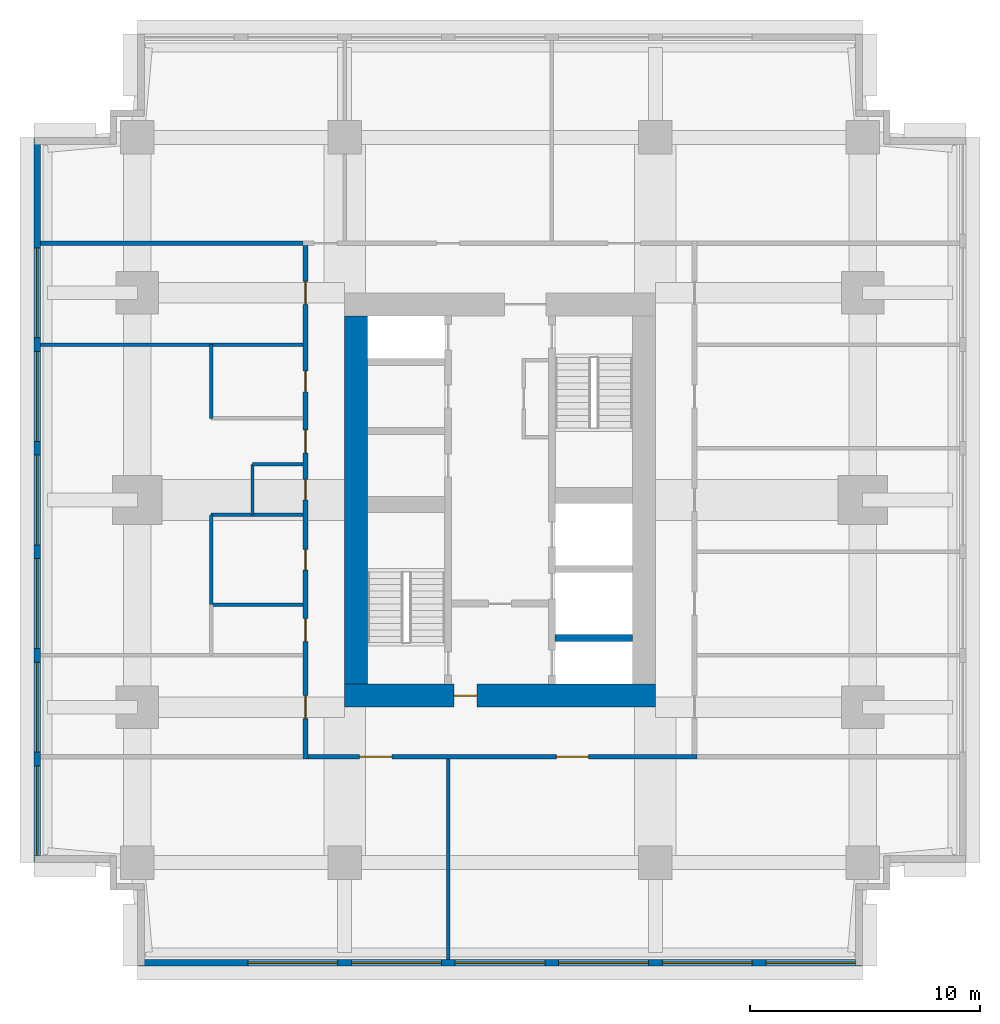
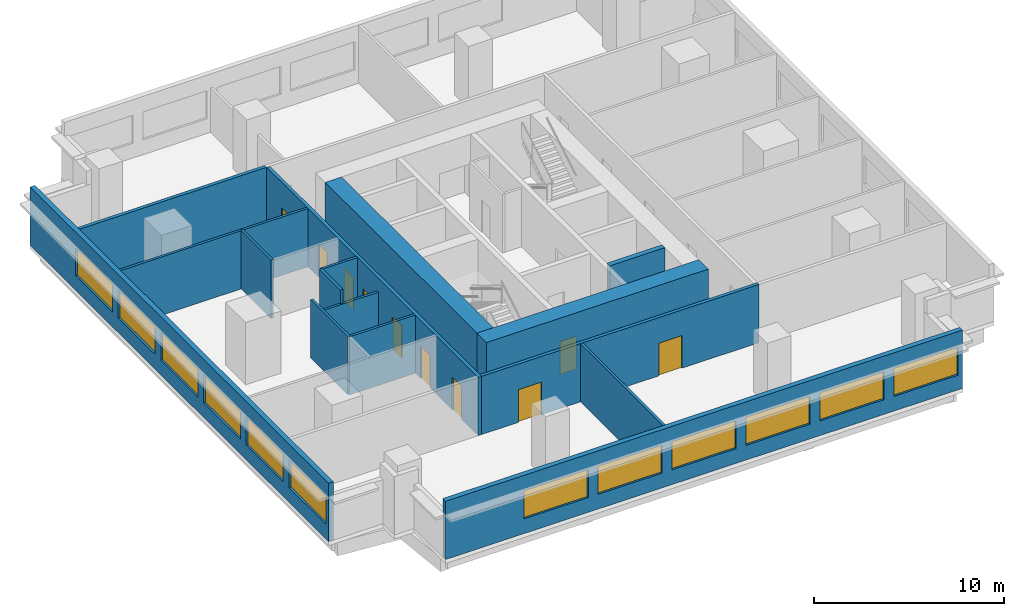
# One storey, part 2 of 5: 16 walls, 12 windows, 10 doors, 22 openings.
"""IFC4 building model written with IfcOpenShell, lengths in metres."""

from ifc_helpers import new_model, si_unit, direction, frame, frame_2d, origin, place, context, subcontext, project, spatial, rectangle, extrude, material, layer, layer_set, type_object, element, fill, save


model = new_model("IFC4")

# Units and contexts
model_context = context("Model", 3, precision=1e-05, world=origin(), true_north=direction((0.0, 1.0)))
body_context = subcontext(model_context, "Body", "Model", "MODEL_VIEW")
ifc_project = project(units=[si_unit("LENGTHUNIT", "METRE"), si_unit("AREAUNIT", "SQUARE_METRE"), si_unit("VOLUMEUNIT", "CUBIC_METRE"), si_unit("PLANEANGLEUNIT", "RADIAN"), si_unit("MASSUNIT", "GRAM", prefix="KILO")], contexts=[model_context])

# Site, building, storey
site_placement = place(None, origin())
site = spatial("IfcSite", under=ifc_project, at=site_placement, CompositionType="ELEMENT")
building_placement = place(site_placement, origin())
building = spatial("IfcBuilding", under=site, at=building_placement, Name="Namib Vertical Campus", CompositionType="ELEMENT")
storey_placement = place(building_placement, frame((0.0, 0.0, 261.0)))
storey = spatial("IfcBuildingStorey", under=building, at=storey_placement, Name="L61", CompositionType="ELEMENT", Elevation=261.0)

# Wall
ifc_material_1 = material(Name="Concrete C60/75", Category="concrete")
ifc_layer_1 = layer(ifc_material_1, 0.300048828125)
ifc_layer_set_1 = layer_set([ifc_layer_1], Name="Concrete C60/75")
wall_type_1 = type_object("IfcWallType", Name="Core inner wall 300", PredefinedType="SHEAR", material=ifc_layer_set_1)
wall_1_placement = place(storey_placement, frame((22.64990234375, 14.25, 0.0), z_axis=(0.0, 0.0, 1.0), x_axis=(1.0, 0.0, 0.0)))
element("IfcWall", 1, at=wall_1_placement, inside=storey, type_object=wall_type_1, Name="Core inner wall A L61 W5", PredefinedType="SHEAR", context=body_context, shape_type="SweptSolid", body=[
    extrude(rectangle(XDim=3.35009765625, YDim=0.300048828125, at=frame_2d((1.675048828125, 0.0))), origin(), (0.0, 0.0, 1.0), 4.0),
])

# Wall, opening, door
ifc_material_2 = material(Name="Concrete C60/75", Category="concrete")
ifc_layer_2 = layer(ifc_material_2, 1.0)
ifc_layer_set_2 = layer_set([ifc_layer_2], Name="Concrete C60/75")
wall_type_2 = type_object("IfcWallType", Name="Core wall 1000", PredefinedType="SHEAR", material=ifc_layer_set_2)
wall_2_placement = place(storey_placement, frame((13.5, 11.75, 0.0), z_axis=(0.0, 0.0, 1.0), x_axis=(1.0, 0.0, 0.0)))
wall_2 = element("IfcWall", 2, at=wall_2_placement, inside=storey, type_object=wall_type_2, Name="Core wall A L61 1", PredefinedType="SHEAR", context=body_context, shape_type="SweptSolid", body=[
    extrude(rectangle(XDim=13.5, YDim=1.0, at=frame_2d((6.75, 0.0))), origin(), (0.0, 0.0, 1.0), 4.0),
])
opening_1_placement = place(wall_2_placement, frame((4.75, 0.0, 0.0)))
opening_1 = element("IfcOpeningElement", 3, at=opening_1_placement, cuts=wall_2, Name="Opening FD5", PredefinedType="OPENING", context=body_context, shape_type="SweptSolid", body=[
    extrude(rectangle(XDim=1.0, YDim=2.10009765625, at=frame_2d((0.5, 1.050048828125))), frame((0.0, 0.510009765625, 0.0), z_axis=(0.0, -1.0, 0.0), x_axis=(1.0, 0.0, 0.0)), (0.0, 0.0, 1.0), 1.02001953125),
])
ifc_material_3 = material(Name="Steel fire door", Category="steel")
door_type_1 = type_object("IfcDoorType", Name="Fire door 1000x2100 120 min", OperationType="SINGLE_SWING_RIGHT", PredefinedType="DOOR", material=ifc_material_3)
door_1_placement = place(opening_1_placement, origin())
door_1 = element("IfcDoor", 4, at=door_1_placement, inside=storey, type_object=door_type_1, Name="Firefighting lobby door FD5 A L61", OperationType="SINGLE_SWING_LEFT", OverallHeight=2.10009765625, OverallWidth=1.0, PredefinedType="DOOR", context=body_context, shape_type="SweptSolid", body=[
    extrude(rectangle(XDim=1.0, YDim=2.10009765625, at=frame_2d((0.5, 1.050048828125))), frame((0.0, 0.02490234375, 0.0), z_axis=(0.0, -1.0, 0.0), x_axis=(1.0, 0.0, 0.0)), (0.0, 0.0, 1.0), 0.050048828125),
])
fill(opening_1, door_1)

# Wall
wall_3_placement = place(storey_placement, frame((14.0, 28.25, 0.0), z_axis=(0.0, 0.0, 1.0), x_axis=(0.0, -1.0, 0.0)))
element("IfcWall", 5, at=wall_3_placement, inside=storey, type_object=wall_type_2, Name="Core wall A L61 4", PredefinedType="SHEAR", context=body_context, shape_type="SweptSolid", body=[
    extrude(rectangle(XDim=16.0, YDim=1.0, at=frame_2d((8.0, 0.0))), origin(), (0.0, 0.0, 1.0), 4.0),
])

# Wall, openings, doors
ifc_material_4 = material(Name="Concrete masonry", Category="masonry")
ifc_layer_3 = layer(ifc_material_4, 0.199951171875)
ifc_layer_set_3 = layer_set([ifc_layer_3], Name="Corridor wall 200")
wall_type_3 = type_object("IfcWallType", Name="Corridor wall 200", PredefinedType="SOLIDWALL", material=ifc_layer_set_3)
wall_4_placement = place(storey_placement, frame((11.89990234375, 9.10009765625, 0.0), z_axis=(0.0, 0.0, 1.0), x_axis=(1.0, 0.0, 0.0)))
wall_4 = element("IfcWall", 6, at=wall_4_placement, inside=storey, type_object=wall_type_3, Name="Corridor wall A L61 CS", PredefinedType="SOLIDWALL", context=body_context, shape_type="SweptSolid", body=[
    extrude(rectangle(XDim=16.900146484375, YDim=0.199951171875, at=frame_2d((8.4501953125, 0.0))), origin(), (0.0, 0.0, 1.0), 3.75),
])
opening_2_placement = place(wall_4_placement, frame((2.25, 0.0, 0.0)))
opening_2 = element("IfcOpeningElement", 7, at=opening_2_placement, cuts=wall_4, Name="Opening LB1", PredefinedType="OPENING", context=body_context, shape_type="SweptSolid", body=[
    extrude(rectangle(XDim=1.39990234375, YDim=2.10009765625, at=frame_2d((0.699951171875, 1.050048828125))), frame((0.0, 0.10986328125, 0.0), z_axis=(0.0, -1.0, 0.0), x_axis=(1.0, 0.0, 0.0)), (0.0, 0.0, 1.0), 0.219970703125),
])
opening_3_placement = place(wall_4_placement, frame((10.800048828125, 0.0, 0.0)))
opening_3 = element("IfcOpeningElement", 8, at=opening_3_placement, cuts=wall_4, Name="Opening LB1", PredefinedType="OPENING", context=body_context, shape_type="SweptSolid", body=[
    extrude(rectangle(XDim=1.39990234375, YDim=2.10009765625, at=frame_2d((0.699951171875, 1.050048828125))), frame((0.0, 0.10986328125, 0.0), z_axis=(0.0, -1.0, 0.0), x_axis=(1.0, 0.0, 0.0)), (0.0, 0.0, 1.0), 0.219970703125),
])
ifc_material_5 = material(Name="Timber fire door leaf", Category="wood")
door_type_2 = type_object("IfcDoorType", Name="Laboratory door 1400x2100 leaf and a half", OperationType="DOUBLE_DOOR_SINGLE_SWING", PredefinedType="DOOR", material=ifc_material_5)
door_2_placement = place(opening_2_placement, frame((1.39990234375, 0.0, 0.0), z_axis=(0.0, 0.0, 1.0), x_axis=(-1.0, 0.0, 0.0)))
door_2 = element("IfcDoor", 9, at=door_2_placement, inside=storey, type_object=door_type_2, Name="Door LB1 A61-01", OperationType="DOUBLE_DOOR_SINGLE_SWING", OverallHeight=2.10009765625, OverallWidth=1.39990234375, PredefinedType="DOOR", context=body_context, shape_type="SweptSolid", body=[
    extrude(rectangle(XDim=1.39990234375, YDim=2.10009765625, at=frame_2d((0.699951171875, 1.050048828125))), frame((0.0, 0.02490234375, 0.0), z_axis=(0.0, -1.0, 0.0), x_axis=(1.0, 0.0, 0.0)), (0.0, 0.0, 1.0), 0.050048828125),
])
fill(opening_2, door_2)
door_3_placement = place(opening_3_placement, frame((1.39990234375, 0.0, 0.0), z_axis=(0.0, 0.0, 1.0), x_axis=(-1.0, 0.0, 0.0)))
door_3 = element("IfcDoor", 10, at=door_3_placement, inside=storey, type_object=door_type_2, Name="Door LB1 A61-02", OperationType="DOUBLE_DOOR_SINGLE_SWING", OverallHeight=2.10009765625, OverallWidth=1.39990234375, PredefinedType="DOOR", context=body_context, shape_type="SweptSolid", body=[
    extrude(rectangle(XDim=1.39990234375, YDim=2.10009765625, at=frame_2d((0.699951171875, 1.050048828125))), frame((0.0, 0.02490234375, 0.0), z_axis=(0.0, -1.0, 0.0), x_axis=(1.0, 0.0, 0.0)), (0.0, 0.0, 1.0), 0.050048828125),
])
fill(opening_3, door_3)

wall_5_placement = place(storey_placement, frame((11.800048828125, 31.300048828125, 0.0), z_axis=(0.0, 0.0, 1.0), x_axis=(0.0, -1.0, 0.0)))
wall_5 = element("IfcWall", 11, at=wall_5_placement, inside=storey, type_object=wall_type_3, Name="Corridor wall A L61 CW", PredefinedType="SOLIDWALL", context=body_context, shape_type="SweptSolid", body=[
    extrude(rectangle(XDim=22.300048828125, YDim=0.199951171875, at=frame_2d((11.14990234375, 0.0))), origin(), (0.0, 0.0, 1.0), 3.75),
])
opening_4_placement = place(wall_5_placement, frame((19.550048828125, 0.0, 0.0)))
opening_4 = element("IfcOpeningElement", 12, at=opening_4_placement, cuts=wall_5, Name="Opening CD1", PredefinedType="OPENING", context=body_context, shape_type="SweptSolid", body=[
    extrude(rectangle(XDim=1.0, YDim=2.10009765625, at=frame_2d((0.5, 1.050048828125))), frame((0.0, 0.10986328125, 0.0), z_axis=(0.0, -1.0, 0.0), x_axis=(1.0, 0.0, 0.0)), (0.0, 0.0, 1.0), 0.219970703125),
])
opening_5_placement = place(wall_5_placement, frame((16.199951171875, 0.0, 0.0)))
opening_5 = element("IfcOpeningElement", 13, at=opening_5_placement, cuts=wall_5, Name="Opening CD1", PredefinedType="OPENING", context=body_context, shape_type="SweptSolid", body=[
    extrude(rectangle(XDim=1.0, YDim=2.10009765625, at=frame_2d((0.5, 1.050048828125))), frame((0.0, 0.10986328125, 0.0), z_axis=(0.0, -1.0, 0.0), x_axis=(1.0, 0.0, 0.0)), (0.0, 0.0, 1.0), 0.219970703125),
])
opening_6_placement = place(wall_5_placement, frame((13.199951171875, 0.0, 0.0)))
opening_6 = element("IfcOpeningElement", 14, at=opening_6_placement, cuts=wall_5, Name="Opening CD3", PredefinedType="OPENING", context=body_context, shape_type="SweptSolid", body=[
    extrude(rectangle(XDim=0.89990234375, YDim=2.10009765625, at=frame_2d((0.449951171875, 1.050048828125))), frame((0.0, 0.10986328125, 0.0), z_axis=(0.0, -1.0, 0.0), x_axis=(1.0, 0.0, 0.0)), (0.0, 0.0, 1.0), 0.219970703125),
])
opening_7_placement = place(wall_5_placement, frame((10.14990234375, 0.0, 0.0)))
opening_7 = element("IfcOpeningElement", 15, at=opening_7_placement, cuts=wall_5, Name="Opening CD3", PredefinedType="OPENING", context=body_context, shape_type="SweptSolid", body=[
    extrude(rectangle(XDim=0.89990234375, YDim=2.10009765625, at=frame_2d((0.449951171875, 1.050048828125))), frame((0.0, 0.10986328125, 0.0), z_axis=(0.0, -1.0, 0.0), x_axis=(1.0, 0.0, 0.0)), (0.0, 0.0, 1.0), 0.219970703125),
])
opening_8_placement = place(wall_5_placement, frame((5.449951171875, 0.0, 0.0)))
opening_8 = element("IfcOpeningElement", 16, at=opening_8_placement, cuts=wall_5, Name="Opening CD3", PredefinedType="OPENING", context=body_context, shape_type="SweptSolid", body=[
    extrude(rectangle(XDim=0.89990234375, YDim=2.10009765625, at=frame_2d((0.449951171875, 1.050048828125))), frame((0.0, 0.10986328125, 0.0), z_axis=(0.0, -1.0, 0.0), x_axis=(1.0, 0.0, 0.0)), (0.0, 0.0, 1.0), 0.219970703125),
])
opening_9_placement = place(wall_5_placement, frame((8.0, 0.0, 0.0)))
opening_9 = element("IfcOpeningElement", 17, at=opening_9_placement, cuts=wall_5, Name="Opening CD1", PredefinedType="OPENING", context=body_context, shape_type="SweptSolid", body=[
    extrude(rectangle(XDim=1.0, YDim=2.10009765625, at=frame_2d((0.5, 1.050048828125))), frame((0.0, 0.10986328125, 0.0), z_axis=(0.0, -1.0, 0.0), x_axis=(1.0, 0.0, 0.0)), (0.0, 0.0, 1.0), 0.219970703125),
])
opening_10_placement = place(wall_5_placement, frame((1.550048828125, 0.0, 0.0)))
opening_10 = element("IfcOpeningElement", 18, at=opening_10_placement, cuts=wall_5, Name="Opening CD1", PredefinedType="OPENING", context=body_context, shape_type="SweptSolid", body=[
    extrude(rectangle(XDim=1.0, YDim=2.10009765625, at=frame_2d((0.5, 1.050048828125))), frame((0.0, 0.10986328125, 0.0), z_axis=(0.0, -1.0, 0.0), x_axis=(1.0, 0.0, 0.0)), (0.0, 0.0, 1.0), 0.219970703125),
])
ifc_material_6 = material(Name="Timber fire door leaf", Category="wood")
door_type_3 = type_object("IfcDoorType", Name="Corridor door 1000x2100 20 min", OperationType="SINGLE_SWING_LEFT", PredefinedType="DOOR", material=ifc_material_6)
door_4_placement = place(opening_4_placement, frame((1.0, 0.0, 0.0), z_axis=(0.0, 0.0, 1.0), x_axis=(-1.0, 0.0, 0.0)))
door_4 = element("IfcDoor", 19, at=door_4_placement, inside=storey, type_object=door_type_3, Name="Door CD1 A61-11", OperationType="SINGLE_SWING_RIGHT", OverallHeight=2.10009765625, OverallWidth=1.0, PredefinedType="DOOR", context=body_context, shape_type="SweptSolid", body=[
    extrude(rectangle(XDim=1.0, YDim=2.10009765625, at=frame_2d((0.5, 1.050048828125))), frame((0.0, 0.02490234375, 0.0), z_axis=(0.0, -1.0, 0.0), x_axis=(1.0, 0.0, 0.0)), (0.0, 0.0, 1.0), 0.050048828125),
])
fill(opening_4, door_4)
door_5_placement = place(opening_5_placement, frame((1.0, 0.0, 0.0), z_axis=(0.0, 0.0, 1.0), x_axis=(-1.0, 0.0, 0.0)))
door_5 = element("IfcDoor", 20, at=door_5_placement, inside=storey, type_object=door_type_3, Name="Door CD1 A61-12", OperationType="SINGLE_SWING_RIGHT", OverallHeight=2.10009765625, OverallWidth=1.0, PredefinedType="DOOR", context=body_context, shape_type="SweptSolid", body=[
    extrude(rectangle(XDim=1.0, YDim=2.10009765625, at=frame_2d((0.5, 1.050048828125))), frame((0.0, 0.02490234375, 0.0), z_axis=(0.0, -1.0, 0.0), x_axis=(1.0, 0.0, 0.0)), (0.0, 0.0, 1.0), 0.050048828125),
])
fill(opening_5, door_5)
door_6_placement = place(opening_9_placement, frame((1.0, 0.0, 0.0), z_axis=(0.0, 0.0, 1.0), x_axis=(-1.0, 0.0, 0.0)))
door_6 = element("IfcDoor", 21, at=door_6_placement, inside=storey, type_object=door_type_3, Name="Door CD1 A61-16", OperationType="SINGLE_SWING_RIGHT", OverallHeight=2.10009765625, OverallWidth=1.0, PredefinedType="DOOR", context=body_context, shape_type="SweptSolid", body=[
    extrude(rectangle(XDim=1.0, YDim=2.10009765625, at=frame_2d((0.5, 1.050048828125))), frame((0.0, 0.02490234375, 0.0), z_axis=(0.0, -1.0, 0.0), x_axis=(1.0, 0.0, 0.0)), (0.0, 0.0, 1.0), 0.050048828125),
])
fill(opening_9, door_6)
door_7_placement = place(opening_10_placement, frame((1.0, 0.0, 0.0), z_axis=(0.0, 0.0, 1.0), x_axis=(-1.0, 0.0, 0.0)))
door_7 = element("IfcDoor", 22, at=door_7_placement, inside=storey, type_object=door_type_3, Name="Door CD1 A61-17", OperationType="SINGLE_SWING_RIGHT", OverallHeight=2.10009765625, OverallWidth=1.0, PredefinedType="DOOR", context=body_context, shape_type="SweptSolid", body=[
    extrude(rectangle(XDim=1.0, YDim=2.10009765625, at=frame_2d((0.5, 1.050048828125))), frame((0.0, 0.02490234375, 0.0), z_axis=(0.0, -1.0, 0.0), x_axis=(1.0, 0.0, 0.0)), (0.0, 0.0, 1.0), 0.050048828125),
])
fill(opening_10, door_7)
ifc_material_7 = material(Name="Timber fire door leaf", Category="wood")
door_type_4 = type_object("IfcDoorType", Name="Corridor toilet door 900x2100 20 min", OperationType="SINGLE_SWING_LEFT", PredefinedType="DOOR", material=ifc_material_7)
door_8_placement = place(opening_6_placement, frame((0.89990234375, 0.0, 0.0), z_axis=(0.0, 0.0, 1.0), x_axis=(-1.0, 0.0, 0.0)))
door_8 = element("IfcDoor", 23, at=door_8_placement, inside=storey, type_object=door_type_4, Name="Door CD3 A61-13", OperationType="SINGLE_SWING_RIGHT", OverallHeight=2.10009765625, OverallWidth=0.89990234375, PredefinedType="DOOR", context=body_context, shape_type="SweptSolid", body=[
    extrude(rectangle(XDim=0.89990234375, YDim=2.10009765625, at=frame_2d((0.449951171875, 1.050048828125))), frame((0.0, 0.02490234375, 0.0), z_axis=(0.0, -1.0, 0.0), x_axis=(1.0, 0.0, 0.0)), (0.0, 0.0, 1.0), 0.050048828125),
])
fill(opening_6, door_8)
door_9_placement = place(opening_7_placement, frame((0.89990234375, 0.0, 0.0), z_axis=(0.0, 0.0, 1.0), x_axis=(-1.0, 0.0, 0.0)))
door_9 = element("IfcDoor", 24, at=door_9_placement, inside=storey, type_object=door_type_4, Name="Door CD3 A61-14", OperationType="SINGLE_SWING_RIGHT", OverallHeight=2.10009765625, OverallWidth=0.89990234375, PredefinedType="DOOR", context=body_context, shape_type="SweptSolid", body=[
    extrude(rectangle(XDim=0.89990234375, YDim=2.10009765625, at=frame_2d((0.449951171875, 1.050048828125))), frame((0.0, 0.02490234375, 0.0), z_axis=(0.0, -1.0, 0.0), x_axis=(1.0, 0.0, 0.0)), (0.0, 0.0, 1.0), 0.050048828125),
])
fill(opening_7, door_9)
door_10_placement = place(opening_8_placement, frame((0.89990234375, 0.0, 0.0), z_axis=(0.0, 0.0, 1.0), x_axis=(-1.0, 0.0, 0.0)))
door_10 = element("IfcDoor", 25, at=door_10_placement, inside=storey, type_object=door_type_4, Name="Door CD3 A61-15", OperationType="SINGLE_SWING_RIGHT", OverallHeight=2.10009765625, OverallWidth=0.89990234375, PredefinedType="DOOR", context=body_context, shape_type="SweptSolid", body=[
    extrude(rectangle(XDim=0.89990234375, YDim=2.10009765625, at=frame_2d((0.449951171875, 1.050048828125))), frame((0.0, 0.02490234375, 0.0), z_axis=(0.0, -1.0, 0.0), x_axis=(1.0, 0.0, 0.0)), (0.0, 0.0, 1.0), 0.050048828125),
])
fill(opening_8, door_10)

# Wall
wall_6_placement = place(storey_placement, frame((0.300048828125, 31.39990234375, 0.0), z_axis=(0.0, 0.0, 1.0), x_axis=(1.0, 0.0, 0.0)))
element("IfcWall", 26, at=wall_6_placement, inside=storey, type_object=wall_type_3, Name="Partition A L61 BNW", PredefinedType="SOLIDWALL", context=body_context, shape_type="SweptSolid", body=[
    extrude(rectangle(XDim=11.39990234375, YDim=0.199951171875, at=frame_2d((5.699951171875, 0.0))), origin(), (0.0, 0.0, 1.0), 3.75),
])

# Wall, openings, windows
ifc_material_8 = material(Name="Concrete C40/50", Category="concrete")
ifc_layer_4 = layer(ifc_material_8, 0.300048828125)
ifc_layer_set_4 = layer_set([ifc_layer_4], Name="Concrete C40/50")
wall_type_4 = type_object("IfcWallType", Name="External wall 300 board-marked concrete", PredefinedType="STANDARD", material=ifc_layer_set_4)
wall_7_placement = place(storey_placement, frame((4.52001953125, 0.14990234375, 0.0), z_axis=(0.0, 0.0, 1.0), x_axis=(1.0, 0.0, 0.0)))
wall_7 = element("IfcWall", 27, at=wall_7_placement, inside=storey, type_object=wall_type_4, Name="External wall L61 F01", PredefinedType="STANDARD", context=body_context, shape_type="SweptSolid", body=[
    extrude(rectangle(XDim=31.4599609375, YDim=0.300048828125, at=frame_2d((15.72998046875, 0.0))), origin(), (0.0, 0.0, 1.0), 3.75),
])
opening_11_placement = place(wall_7_placement, frame((4.780029296875, 0.0, 0.949951171875)))
opening_11 = element("IfcOpeningElement", 28, at=opening_11_placement, cuts=wall_7, Name="Opening W3", PredefinedType="OPENING", context=body_context, shape_type="SweptSolid", body=[
    extrude(rectangle(XDim=3.89990234375, YDim=1.800048828125, at=frame_2d((1.949951171875, 0.89990234375))), frame((0.0, 0.159912109375, 0.0), z_axis=(0.0, -1.0, 0.0), x_axis=(1.0, 0.0, 0.0)), (0.0, 0.0, 1.0), 0.320068359375),
])
opening_12_placement = place(wall_7_placement, frame((9.280029296875, 0.0, 0.949951171875)))
opening_12 = element("IfcOpeningElement", 29, at=opening_12_placement, cuts=wall_7, Name="Opening W3", PredefinedType="OPENING", context=body_context, shape_type="SweptSolid", body=[
    extrude(rectangle(XDim=3.89990234375, YDim=1.800048828125, at=frame_2d((1.949951171875, 0.89990234375))), frame((0.0, 0.159912109375, 0.0), z_axis=(0.0, -1.0, 0.0), x_axis=(1.0, 0.0, 0.0)), (0.0, 0.0, 1.0), 0.320068359375),
])
opening_13_placement = place(wall_7_placement, frame((13.780029296875, 0.0, 0.949951171875)))
opening_13 = element("IfcOpeningElement", 30, at=opening_13_placement, cuts=wall_7, Name="Opening W3", PredefinedType="OPENING", context=body_context, shape_type="SweptSolid", body=[
    extrude(rectangle(XDim=3.89990234375, YDim=1.800048828125, at=frame_2d((1.949951171875, 0.89990234375))), frame((0.0, 0.159912109375, 0.0), z_axis=(0.0, -1.0, 0.0), x_axis=(1.0, 0.0, 0.0)), (0.0, 0.0, 1.0), 0.320068359375),
])
opening_14_placement = place(wall_7_placement, frame((18.280029296875, 0.0, 0.949951171875)))
opening_14 = element("IfcOpeningElement", 31, at=opening_14_placement, cuts=wall_7, Name="Opening W3", PredefinedType="OPENING", context=body_context, shape_type="SweptSolid", body=[
    extrude(rectangle(XDim=3.89990234375, YDim=1.800048828125, at=frame_2d((1.949951171875, 0.89990234375))), frame((0.0, 0.159912109375, 0.0), z_axis=(0.0, -1.0, 0.0), x_axis=(1.0, 0.0, 0.0)), (0.0, 0.0, 1.0), 0.320068359375),
])
opening_15_placement = place(wall_7_placement, frame((22.780029296875, 0.0, 0.949951171875)))
opening_15 = element("IfcOpeningElement", 32, at=opening_15_placement, cuts=wall_7, Name="Opening W3", PredefinedType="OPENING", context=body_context, shape_type="SweptSolid", body=[
    extrude(rectangle(XDim=3.89990234375, YDim=1.800048828125, at=frame_2d((1.949951171875, 0.89990234375))), frame((0.0, 0.159912109375, 0.0), z_axis=(0.0, -1.0, 0.0), x_axis=(1.0, 0.0, 0.0)), (0.0, 0.0, 1.0), 0.320068359375),
])
opening_16_placement = place(wall_7_placement, frame((27.280029296875, 0.0, 0.949951171875)))
opening_16 = element("IfcOpeningElement", 33, at=opening_16_placement, cuts=wall_7, Name="Opening W3", PredefinedType="OPENING", context=body_context, shape_type="SweptSolid", body=[
    extrude(rectangle(XDim=3.89990234375, YDim=1.800048828125, at=frame_2d((1.949951171875, 0.89990234375))), frame((0.0, 0.159912109375, 0.0), z_axis=(0.0, -1.0, 0.0), x_axis=(1.0, 0.0, 0.0)), (0.0, 0.0, 1.0), 0.320068359375),
])
ifc_material_9 = material(Name="Dark tinted glass in black aluminium frame", Category="aluminium")
window_type = type_object("IfcWindowType", Name="Ribbon window 3900x1800", PartitioningType="SINGLE_PANEL", PredefinedType="WINDOW", material=ifc_material_9)
window_1_placement = place(opening_11_placement, origin())
window_1 = element("IfcWindow", 34, at=window_1_placement, inside=storey, type_object=window_type, Name="Window W3 L61 F01-2", OverallHeight=1.800048828125, OverallWidth=3.89990234375, PartitioningType="SINGLE_PANEL", PredefinedType="WINDOW", context=body_context, shape_type="SweptSolid", body=[
    extrude(rectangle(XDim=3.89990234375, YDim=1.800048828125, at=frame_2d((1.949951171875, 0.89990234375))), frame((0.0, 0.030029296875, 0.0), z_axis=(0.0, -1.0, 0.0), x_axis=(1.0, 0.0, 0.0)), (0.0, 0.0, 1.0), 0.06005859375),
])
fill(opening_11, window_1)
window_2_placement = place(opening_12_placement, origin())
window_2 = element("IfcWindow", 35, at=window_2_placement, inside=storey, type_object=window_type, Name="Window W3 L61 F01-3", OverallHeight=1.800048828125, OverallWidth=3.89990234375, PartitioningType="SINGLE_PANEL", PredefinedType="WINDOW", context=body_context, shape_type="SweptSolid", body=[
    extrude(rectangle(XDim=3.89990234375, YDim=1.800048828125, at=frame_2d((1.949951171875, 0.89990234375))), frame((0.0, 0.030029296875, 0.0), z_axis=(0.0, -1.0, 0.0), x_axis=(1.0, 0.0, 0.0)), (0.0, 0.0, 1.0), 0.06005859375),
])
fill(opening_12, window_2)
window_3_placement = place(opening_13_placement, origin())
window_3 = element("IfcWindow", 36, at=window_3_placement, inside=storey, type_object=window_type, Name="Window W3 L61 F01-4", OverallHeight=1.800048828125, OverallWidth=3.89990234375, PartitioningType="SINGLE_PANEL", PredefinedType="WINDOW", context=body_context, shape_type="SweptSolid", body=[
    extrude(rectangle(XDim=3.89990234375, YDim=1.800048828125, at=frame_2d((1.949951171875, 0.89990234375))), frame((0.0, 0.030029296875, 0.0), z_axis=(0.0, -1.0, 0.0), x_axis=(1.0, 0.0, 0.0)), (0.0, 0.0, 1.0), 0.06005859375),
])
fill(opening_13, window_3)
window_4_placement = place(opening_14_placement, origin())
window_4 = element("IfcWindow", 37, at=window_4_placement, inside=storey, type_object=window_type, Name="Window W3 L61 F01-5", OverallHeight=1.800048828125, OverallWidth=3.89990234375, PartitioningType="SINGLE_PANEL", PredefinedType="WINDOW", context=body_context, shape_type="SweptSolid", body=[
    extrude(rectangle(XDim=3.89990234375, YDim=1.800048828125, at=frame_2d((1.949951171875, 0.89990234375))), frame((0.0, 0.030029296875, 0.0), z_axis=(0.0, -1.0, 0.0), x_axis=(1.0, 0.0, 0.0)), (0.0, 0.0, 1.0), 0.06005859375),
])
fill(opening_14, window_4)
window_5_placement = place(opening_15_placement, origin())
window_5 = element("IfcWindow", 38, at=window_5_placement, inside=storey, type_object=window_type, Name="Window W3 L61 F01-6", OverallHeight=1.800048828125, OverallWidth=3.89990234375, PartitioningType="SINGLE_PANEL", PredefinedType="WINDOW", context=body_context, shape_type="SweptSolid", body=[
    extrude(rectangle(XDim=3.89990234375, YDim=1.800048828125, at=frame_2d((1.949951171875, 0.89990234375))), frame((0.0, 0.030029296875, 0.0), z_axis=(0.0, -1.0, 0.0), x_axis=(1.0, 0.0, 0.0)), (0.0, 0.0, 1.0), 0.06005859375),
])
fill(opening_15, window_5)
window_6_placement = place(opening_16_placement, origin())
window_6 = element("IfcWindow", 39, at=window_6_placement, inside=storey, type_object=window_type, Name="Window W3 L61 F01-7", OverallHeight=1.800048828125, OverallWidth=3.89990234375, PartitioningType="SINGLE_PANEL", PredefinedType="WINDOW", context=body_context, shape_type="SweptSolid", body=[
    extrude(rectangle(XDim=3.89990234375, YDim=1.800048828125, at=frame_2d((1.949951171875, 0.89990234375))), frame((0.0, 0.030029296875, 0.0), z_axis=(0.0, -1.0, 0.0), x_axis=(1.0, 0.0, 0.0)), (0.0, 0.0, 1.0), 0.06005859375),
])
fill(opening_16, window_6)

wall_8_placement = place(storey_placement, frame((0.14990234375, 35.97998046875, 0.0), z_axis=(0.0, 0.0, 1.0), x_axis=(0.0, -1.0, 0.0)))
wall_8 = element("IfcWall", 40, at=wall_8_placement, inside=storey, type_object=wall_type_4, Name="External wall L61 F16", PredefinedType="STANDARD", context=body_context, shape_type="SweptSolid", body=[
    extrude(rectangle(XDim=31.4599609375, YDim=0.300048828125, at=frame_2d((15.72998046875, 0.0))), origin(), (0.0, 0.0, 1.0), 3.75),
])
opening_17_placement = place(wall_8_placement, frame((27.280029296875, 0.0, 0.949951171875)))
opening_17 = element("IfcOpeningElement", 41, at=opening_17_placement, cuts=wall_8, Name="Opening W3", PredefinedType="OPENING", context=body_context, shape_type="SweptSolid", body=[
    extrude(rectangle(XDim=3.89990234375, YDim=1.800048828125, at=frame_2d((1.949951171875, 0.89990234375))), frame((0.0, 0.159912109375, 0.0), z_axis=(0.0, -1.0, 0.0), x_axis=(1.0, 0.0, 0.0)), (0.0, 0.0, 1.0), 0.320068359375),
])
opening_18_placement = place(wall_8_placement, frame((22.780029296875, 0.0, 0.949951171875)))
opening_18 = element("IfcOpeningElement", 42, at=opening_18_placement, cuts=wall_8, Name="Opening W3", PredefinedType="OPENING", context=body_context, shape_type="SweptSolid", body=[
    extrude(rectangle(XDim=3.89990234375, YDim=1.800048828125, at=frame_2d((1.949951171875, 0.89990234375))), frame((0.0, 0.159912109375, 0.0), z_axis=(0.0, -1.0, 0.0), x_axis=(1.0, 0.0, 0.0)), (0.0, 0.0, 1.0), 0.320068359375),
])
opening_19_placement = place(wall_8_placement, frame((18.280029296875, 0.0, 0.949951171875)))
opening_19 = element("IfcOpeningElement", 43, at=opening_19_placement, cuts=wall_8, Name="Opening W3", PredefinedType="OPENING", context=body_context, shape_type="SweptSolid", body=[
    extrude(rectangle(XDim=3.89990234375, YDim=1.800048828125, at=frame_2d((1.949951171875, 0.89990234375))), frame((0.0, 0.159912109375, 0.0), z_axis=(0.0, -1.0, 0.0), x_axis=(1.0, 0.0, 0.0)), (0.0, 0.0, 1.0), 0.320068359375),
])
opening_20_placement = place(wall_8_placement, frame((13.780029296875, 0.0, 0.949951171875)))
opening_20 = element("IfcOpeningElement", 44, at=opening_20_placement, cuts=wall_8, Name="Opening W3", PredefinedType="OPENING", context=body_context, shape_type="SweptSolid", body=[
    extrude(rectangle(XDim=3.89990234375, YDim=1.800048828125, at=frame_2d((1.949951171875, 0.89990234375))), frame((0.0, 0.159912109375, 0.0), z_axis=(0.0, -1.0, 0.0), x_axis=(1.0, 0.0, 0.0)), (0.0, 0.0, 1.0), 0.320068359375),
])
opening_21_placement = place(wall_8_placement, frame((9.280029296875, 0.0, 0.949951171875)))
opening_21 = element("IfcOpeningElement", 45, at=opening_21_placement, cuts=wall_8, Name="Opening W3", PredefinedType="OPENING", context=body_context, shape_type="SweptSolid", body=[
    extrude(rectangle(XDim=3.89990234375, YDim=1.800048828125, at=frame_2d((1.949951171875, 0.89990234375))), frame((0.0, 0.159912109375, 0.0), z_axis=(0.0, -1.0, 0.0), x_axis=(1.0, 0.0, 0.0)), (0.0, 0.0, 1.0), 0.320068359375),
])
opening_22_placement = place(wall_8_placement, frame((4.780029296875, 0.0, 0.949951171875)))
opening_22 = element("IfcOpeningElement", 46, at=opening_22_placement, cuts=wall_8, Name="Opening W3", PredefinedType="OPENING", context=body_context, shape_type="SweptSolid", body=[
    extrude(rectangle(XDim=3.89990234375, YDim=1.800048828125, at=frame_2d((1.949951171875, 0.89990234375))), frame((0.0, 0.159912109375, 0.0), z_axis=(0.0, -1.0, 0.0), x_axis=(1.0, 0.0, 0.0)), (0.0, 0.0, 1.0), 0.320068359375),
])
window_7_placement = place(opening_17_placement, origin())
window_7 = element("IfcWindow", 47, at=window_7_placement, inside=storey, type_object=window_type, Name="Window W3 L61 F16-1", OverallHeight=1.800048828125, OverallWidth=3.89990234375, PartitioningType="SINGLE_PANEL", PredefinedType="WINDOW", context=body_context, shape_type="SweptSolid", body=[
    extrude(rectangle(XDim=3.89990234375, YDim=1.800048828125, at=frame_2d((1.949951171875, 0.89990234375))), frame((0.0, 0.030029296875, 0.0), z_axis=(0.0, -1.0, 0.0), x_axis=(1.0, 0.0, 0.0)), (0.0, 0.0, 1.0), 0.06005859375),
])
fill(opening_17, window_7)
window_8_placement = place(opening_18_placement, origin())
window_8 = element("IfcWindow", 48, at=window_8_placement, inside=storey, type_object=window_type, Name="Window W3 L61 F16-2", OverallHeight=1.800048828125, OverallWidth=3.89990234375, PartitioningType="SINGLE_PANEL", PredefinedType="WINDOW", context=body_context, shape_type="SweptSolid", body=[
    extrude(rectangle(XDim=3.89990234375, YDim=1.800048828125, at=frame_2d((1.949951171875, 0.89990234375))), frame((0.0, 0.030029296875, 0.0), z_axis=(0.0, -1.0, 0.0), x_axis=(1.0, 0.0, 0.0)), (0.0, 0.0, 1.0), 0.06005859375),
])
fill(opening_18, window_8)
window_9_placement = place(opening_19_placement, origin())
window_9 = element("IfcWindow", 49, at=window_9_placement, inside=storey, type_object=window_type, Name="Window W3 L61 F16-3", OverallHeight=1.800048828125, OverallWidth=3.89990234375, PartitioningType="SINGLE_PANEL", PredefinedType="WINDOW", context=body_context, shape_type="SweptSolid", body=[
    extrude(rectangle(XDim=3.89990234375, YDim=1.800048828125, at=frame_2d((1.949951171875, 0.89990234375))), frame((0.0, 0.030029296875, 0.0), z_axis=(0.0, -1.0, 0.0), x_axis=(1.0, 0.0, 0.0)), (0.0, 0.0, 1.0), 0.06005859375),
])
fill(opening_19, window_9)
window_10_placement = place(opening_20_placement, origin())
window_10 = element("IfcWindow", 50, at=window_10_placement, inside=storey, type_object=window_type, Name="Window W3 L61 F16-4", OverallHeight=1.800048828125, OverallWidth=3.89990234375, PartitioningType="SINGLE_PANEL", PredefinedType="WINDOW", context=body_context, shape_type="SweptSolid", body=[
    extrude(rectangle(XDim=3.89990234375, YDim=1.800048828125, at=frame_2d((1.949951171875, 0.89990234375))), frame((0.0, 0.030029296875, 0.0), z_axis=(0.0, -1.0, 0.0), x_axis=(1.0, 0.0, 0.0)), (0.0, 0.0, 1.0), 0.06005859375),
])
fill(opening_20, window_10)
window_11_placement = place(opening_21_placement, origin())
window_11 = element("IfcWindow", 51, at=window_11_placement, inside=storey, type_object=window_type, Name="Window W3 L61 F16-5", OverallHeight=1.800048828125, OverallWidth=3.89990234375, PartitioningType="SINGLE_PANEL", PredefinedType="WINDOW", context=body_context, shape_type="SweptSolid", body=[
    extrude(rectangle(XDim=3.89990234375, YDim=1.800048828125, at=frame_2d((1.949951171875, 0.89990234375))), frame((0.0, 0.030029296875, 0.0), z_axis=(0.0, -1.0, 0.0), x_axis=(1.0, 0.0, 0.0)), (0.0, 0.0, 1.0), 0.06005859375),
])
fill(opening_21, window_11)
window_12_placement = place(opening_22_placement, origin())
window_12 = element("IfcWindow", 52, at=window_12_placement, inside=storey, type_object=window_type, Name="Window W3 L61 F16-6", OverallHeight=1.800048828125, OverallWidth=3.89990234375, PartitioningType="SINGLE_PANEL", PredefinedType="WINDOW", context=body_context, shape_type="SweptSolid", body=[
    extrude(rectangle(XDim=3.89990234375, YDim=1.800048828125, at=frame_2d((1.949951171875, 0.89990234375))), frame((0.0, 0.030029296875, 0.0), z_axis=(0.0, -1.0, 0.0), x_axis=(1.0, 0.0, 0.0)), (0.0, 0.0, 1.0), 0.06005859375),
])
fill(opening_22, window_12)

# Walls
ifc_material_10 = material(Name="Gypsum board on steel studs", Category="steel")
ifc_layer_5 = layer(ifc_material_10, 0.14990234375)
ifc_layer_set_5 = layer_set([ifc_layer_5], Name="Gypsum board on steel studs")
wall_type_5 = type_object("IfcWallType", Name="Partition 150", PredefinedType="PARTITIONING", material=ifc_layer_set_5)
wall_9_placement = place(storey_placement, frame((18.0, 0.300048828125, 0.0), z_axis=(0.0, 0.0, 1.0), x_axis=(0.0, 1.0, 0.0)))
element("IfcWall", 53, at=wall_9_placement, inside=storey, type_object=wall_type_5, Name="Partition A L61 PS1", PredefinedType="PARTITIONING", context=body_context, shape_type="SweptSolid", body=[
    extrude(rectangle(XDim=8.699951171875, YDim=0.14990234375, at=frame_2d((4.35009765625, 0.0))), origin(), (0.0, 0.0, 1.0), 3.75),
])
wall_10_placement = place(storey_placement, frame((0.300048828125, 27.0, 0.0), z_axis=(0.0, 0.0, 1.0), x_axis=(1.0, 0.0, 0.0)))
element("IfcWall", 54, at=wall_10_placement, inside=storey, type_object=wall_type_5, Name="Partition A L61 PW2", PredefinedType="PARTITIONING", context=body_context, shape_type="SweptSolid", body=[
    extrude(rectangle(XDim=11.39990234375, YDim=0.14990234375, at=frame_2d((5.699951171875, 0.0))), origin(), (0.0, 0.0, 1.0), 3.75),
])
wall_11_placement = place(storey_placement, frame((11.699951171875, 15.699951171875, 0.0), z_axis=(0.0, 0.0, 1.0), x_axis=(-1.0, 0.0, 0.0)))
element("IfcWall", 55, at=wall_11_placement, inside=storey, type_object=wall_type_5, Name="Partition A L61 WR1", PredefinedType="PARTITIONING", context=body_context, shape_type="SweptSolid", body=[
    extrude(rectangle(XDim=4.0, YDim=0.14990234375, at=frame_2d((2.0, 0.0))), origin(), (0.0, 0.0, 1.0), 3.75),
])
wall_12_placement = place(storey_placement, frame((11.699951171875, 19.60009765625, 0.0), z_axis=(0.0, 0.0, 1.0), x_axis=(-1.0, 0.0, 0.0)))
element("IfcWall", 56, at=wall_12_placement, inside=storey, type_object=wall_type_5, Name="Partition A L61 WR2", PredefinedType="PARTITIONING", context=body_context, shape_type="SweptSolid", body=[
    extrude(rectangle(XDim=4.0, YDim=0.14990234375, at=frame_2d((2.0, 0.0))), origin(), (0.0, 0.0, 1.0), 2.85009765625),
])
wall_13_placement = place(storey_placement, frame((11.699951171875, 21.800048828125, 0.0), z_axis=(0.0, 0.0, 1.0), x_axis=(-1.0, 0.0, 0.0)))
element("IfcWall", 57, at=wall_13_placement, inside=storey, type_object=wall_type_5, Name="Partition A L61 WR3", PredefinedType="PARTITIONING", context=body_context, shape_type="SweptSolid", body=[
    extrude(rectangle(XDim=2.199951171875, YDim=0.14990234375, at=frame_2d((1.10009765625, 0.0))), origin(), (0.0, 0.0, 1.0), 3.75),
])
wall_14_placement = place(storey_placement, frame((7.699951171875, 15.699951171875, 0.0), z_axis=(0.0, 0.0, 1.0), x_axis=(0.0, 1.0, 0.0)))
element("IfcWall", 58, at=wall_14_placement, inside=storey, type_object=wall_type_5, Name="Partition A L61 WB2", PredefinedType="PARTITIONING", context=body_context, shape_type="SweptSolid", body=[
    extrude(rectangle(XDim=3.900146484375, YDim=0.14990234375, at=frame_2d((1.9501953125, 0.0))), origin(), (0.0, 0.0, 1.0), 3.75),
])
wall_15_placement = place(storey_placement, frame((9.5, 19.60009765625, 0.0), z_axis=(0.0, 0.0, 1.0), x_axis=(0.0, 1.0, 0.0)))
element("IfcWall", 59, at=wall_15_placement, inside=storey, type_object=wall_type_5, Name="Partition A L61 WB3", PredefinedType="PARTITIONING", context=body_context, shape_type="SweptSolid", body=[
    extrude(rectangle(XDim=2.199951171875, YDim=0.14990234375, at=frame_2d((1.10009765625, 0.0))), origin(), (0.0, 0.0, 1.0), 3.75),
])
wall_16_placement = place(storey_placement, frame((7.699951171875, 23.800048828125, 0.0), z_axis=(0.0, 0.0, 1.0), x_axis=(0.0, 1.0, 0.0)))
element("IfcWall", 60, at=wall_16_placement, inside=storey, type_object=wall_type_5, Name="Partition A L61 WB4", PredefinedType="PARTITIONING", context=body_context, shape_type="SweptSolid", body=[
    extrude(rectangle(XDim=3.199951171875, YDim=0.14990234375, at=frame_2d((1.60009765625, 0.0))), origin(), (0.0, 0.0, 1.0), 3.75),
])

save(model, "model.ifc")
